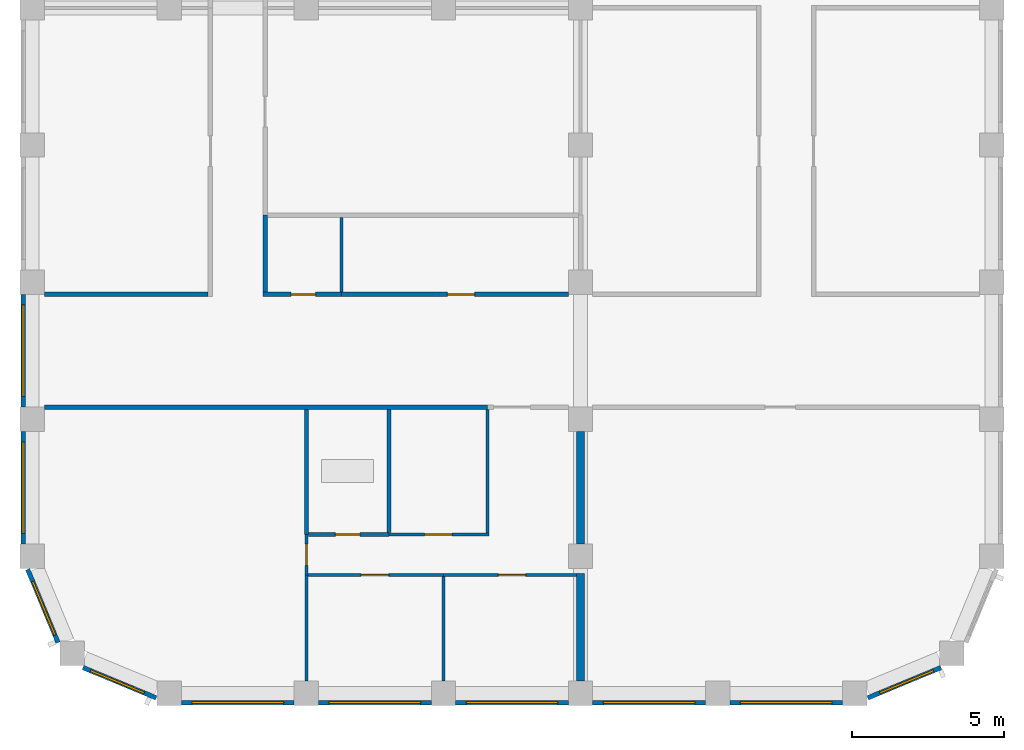
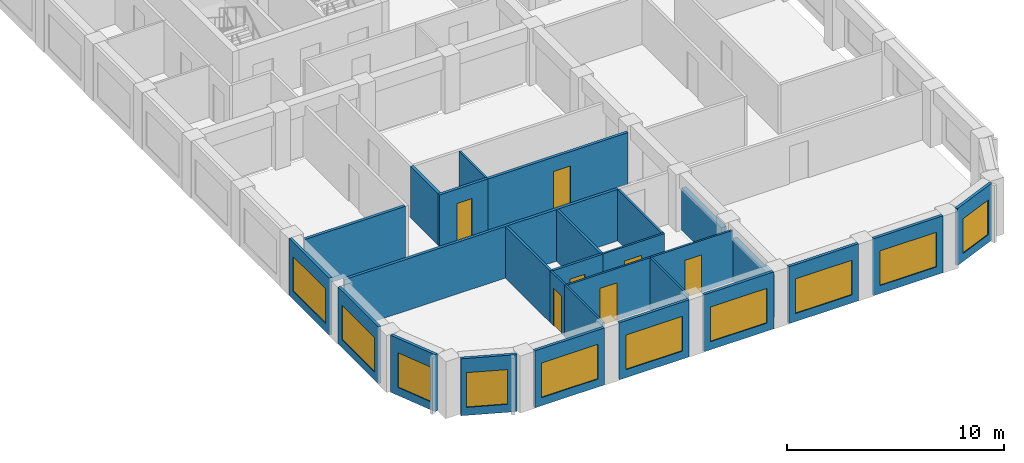
# One storey, part 2 of 9: 28 walls, 10 windows, 7 doors, 17 openings.
"""IFC4 building model written with IfcOpenShell, lengths in metres."""

import ifcopenshell
import ifcopenshell.guid

model = None  # the IFC model being written
_history = None  # IfcOwnerHistory: only IFC2X3 demands one
_inside = {}  # id of a spatial element -> (the spatial element, [elements in it])
_under = {}  # id of a project, library or spatial element -> (it, [spatial elements below it])
_declared = {}  # id of a project -> (the project, [libraries it declares])
_typed = {}  # id of a type object -> (the type object, [elements of that type])
_made_of = {}  # id of a material, layer set ... -> (it, [elements and type objects made of it])


def new_model(schema):
    """Start an empty IFC model of exactly this schema.

    Asked for "IFC4X3", IfcOpenShell would pick the latest addendum, in which some entities
    have other attributes; the version numbers below select the first issue.
    IFC2X3 requires an IfcOwnerHistory on every rooted entity: one is made here for all.
    """
    global model, _history
    if schema == "IFC4X3":
        model = ifcopenshell.file(schema_version=(4, 3, 0, 0))
    else:
        model = ifcopenshell.file(schema=schema)
    _inside.clear()
    _under.clear()
    _declared.clear()
    _typed.clear()
    _made_of.clear()
    _history = None
    if model.schema == "IFC2X3":
        org = make("IfcOrganization", Name="unknown")
        user = make(
            "IfcPersonAndOrganization",
            ThePerson=make("IfcPerson", FamilyName="unknown"),
            TheOrganization=org,
        )
        app = make(
            "IfcApplication",
            ApplicationDeveloper=org,
            Version="unknown",
            ApplicationFullName="unknown",
            ApplicationIdentifier="unknown",
        )
        _history = make(
            "IfcOwnerHistory",
            OwningUser=user,
            OwningApplication=app,
            ChangeAction="ADDED",
            CreationDate=0,
        )
    return model


def make(cls, **values):
    """One entity of the class cls with the attributes given. An attribute that is None is left unset."""
    return model.create_entity(
        cls, **{name: value for name, value in values.items() if value is not None}
    )


def rooted(cls, **values):
    """An entity with a GlobalId (a new one), such as an element, a storey or a relation."""
    return make(cls, GlobalId=ifcopenshell.guid.new(), OwnerHistory=_history, **values)


def si_unit(unit_type, name, prefix=None):
    """IfcSIUnit, for example si_unit("LENGTHUNIT", "METRE", prefix="MILLI")."""
    return make("IfcSIUnit", UnitType=unit_type, Prefix=prefix, Name=name)


def assignment(units):
    """IfcUnitAssignment: the units of a project."""
    return None if units is None else make("IfcUnitAssignment", Units=units)


def point(xyz):
    """IfcCartesianPoint."""
    return None if xyz is None else make("IfcCartesianPoint", Coordinates=xyz)


def direction(xyz):
    """IfcDirection."""
    return None if xyz is None else make("IfcDirection", DirectionRatios=xyz)


def frame(location, z_axis=None, x_axis=None):
    """IfcAxis2Placement3D, a coordinate frame: its origin and axes. An axis left out is left unset."""
    return make(
        "IfcAxis2Placement3D",
        Location=point(location),
        Axis=direction(z_axis),
        RefDirection=direction(x_axis),
    )


def frame_2d(location, x_axis=None):
    """IfcAxis2Placement2D, a coordinate frame in the plane: its origin and x axis."""
    return make(
        "IfcAxis2Placement2D", Location=point(location), RefDirection=direction(x_axis)
    )


def origin():
    """The frame at (0, 0, 0) with its axes left unset."""
    return frame((0.0, 0.0, 0.0))


def place(relative_to, where):
    """IfcLocalPlacement: puts the frame where relative to a parent placement (None: the world)."""
    return make(
        "IfcLocalPlacement", PlacementRelTo=relative_to, RelativePlacement=where
    )


def context(
    kind, dimensions, precision=None, world=None, true_north=None, identifier=None
):
    """IfcGeometricRepresentationContext, for example the 3D "Model" context."""
    return make(
        "IfcGeometricRepresentationContext",
        ContextIdentifier=identifier,
        ContextType=kind,
        CoordinateSpaceDimension=dimensions,
        Precision=precision,
        WorldCoordinateSystem=world,
        TrueNorth=true_north,
    )


def subcontext(parent, identifier, kind, view, scale=None):
    """IfcGeometricRepresentationSubContext, for example "Body" below "Model"."""
    return make(
        "IfcGeometricRepresentationSubContext",
        ContextIdentifier=identifier,
        ContextType=kind,
        ParentContext=parent,
        TargetScale=scale,
        TargetView=view,
    )


def project(units=None, contexts=None):
    """IfcProject with its units and contexts."""
    return rooted(
        "IfcProject",
        Name="project",
        RepresentationContexts=contexts,
        UnitsInContext=assignment(units),
    )


def spatial(cls, under=None, at=None, **own):
    """A site, building, storey or space (cls), placed at a placement, below another one or the project."""
    s = rooted(cls, ObjectPlacement=at, **own)
    if under is not None:
        _under.setdefault(under.id(), (under, []))[1].append(s)
    return s


def profile(cls, at=None, kind="AREA", **sizes):
    """A parametric profile (cls). Its sizes go by their IFC names, for example OverallWidth=200.0."""
    return make(cls, ProfileType=kind, Position=at, **sizes)


def rectangle(**sizes):
    """IfcRectangleProfileDef."""
    return profile("IfcRectangleProfileDef", **sizes)


def extrude(swept, where, along, depth):
    """IfcExtrudedAreaSolid: the profile swept, set in the frame where, extruded along a direction by depth."""
    return make(
        "IfcExtrudedAreaSolid",
        SweptArea=swept,
        Position=where,
        ExtrudedDirection=direction(along),
        Depth=depth,
    )


def shape(context_of_items, identifier, shape_type, items):
    """IfcShapeRepresentation: the items that make up one representation, for example the "Body"."""
    return make(
        "IfcShapeRepresentation",
        ContextOfItems=context_of_items,
        RepresentationIdentifier=identifier,
        RepresentationType=shape_type,
        Items=items,
    )


def material(Name=None, Category=None):
    """IfcMaterial."""
    return make("IfcMaterial", Name=Name, Category=Category)


def layer(
    of_material, thickness, ventilated=None, Name=None, Category=None, Priority=None
):
    """IfcMaterialLayer: one layer of a wall or slab, of a material (None: an air gap)."""
    return make(
        "IfcMaterialLayer",
        Material=of_material,
        LayerThickness=thickness,
        IsVentilated=ventilated,
        Name=Name,
        Category=Category,
        Priority=Priority,
    )


def layer_set(layers, Name=None):
    """IfcMaterialLayerSet."""
    return make("IfcMaterialLayerSet", MaterialLayers=layers, LayerSetName=Name)


def made_of(thing, what):
    """Note that an element or type object is made of a material, layer set ...; save() writes the relation."""
    if what is not None:
        _made_of.setdefault(what.id(), (what, []))[1].append(thing)
    return thing


def type_object(cls, material=None, **own):
    """A type object (cls), such as IfcWallType, which elements share."""
    return made_of(rooted(cls, **own), material)


def element(
    cls,
    number,
    at=None,
    inside=None,
    cuts=None,
    type_object=None,
    material=None,
    context=None,
    identifier="Body",
    shape_type=None,
    held_by="IfcProductDefinitionShape",
    body=None,
    shapes=None,
    **own,
):
    """One element of the class cls, such as IfcWall. Its Tag is "e" and its number.

    at: its placement. inside: the storey or other place that contains it. cuts: it is an
    opening in that element (IfcRelVoidsElement). A single representation is given by context,
    identifier, shape_type and body (its items); several are given by shapes. held_by: the class
    of the entity that holds the representations. save() writes the other relations.
    """
    e = rooted(cls, Tag="e%d" % number, ObjectPlacement=at, **own)
    if body is not None:
        shapes = [shape(context, identifier, shape_type, body)]
    if shapes is not None:
        e.Representation = make(held_by, Representations=shapes)
    if inside is not None:
        _inside.setdefault(inside.id(), (inside, []))[1].append(e)
    if cuts is not None:
        rooted(
            "IfcRelVoidsElement", RelatingBuildingElement=cuts, RelatedOpeningElement=e
        )
    if type_object is not None:
        _typed.setdefault(type_object.id(), (type_object, []))[1].append(e)
    return made_of(e, material)


def fill(opening, filler):
    """IfcRelFillsElement: the door or window that sits in an opening."""
    return rooted(
        "IfcRelFillsElement",
        RelatingOpeningElement=opening,
        RelatedBuildingElement=filler,
    )


def aggregate(whole, parts):
    """IfcRelAggregates: a whole, such as a stair, and the parts it consists of."""
    return rooted("IfcRelAggregates", RelatingObject=whole, RelatedObjects=parts)


def save(model, path):
    """Write the relations noted so far, then the file.

    IfcRelAggregates (storeys below a building ...), IfcRelContainedInSpatialStructure (elements
    in a storey), IfcRelDefinesByType, IfcRelAssociatesMaterial and IfcRelDeclares: one each for
    every whole, place, type object, material and project.
    """
    for whole, parts in _under.values():
        aggregate(whole, parts)
    for where, things in _inside.values():
        rooted(
            "IfcRelContainedInSpatialStructure",
            RelatedElements=things,
            RelatingStructure=where,
        )
    for kind, things in _typed.values():
        rooted("IfcRelDefinesByType", RelatedObjects=things, RelatingType=kind)
    for what, things in _made_of.values():
        rooted("IfcRelAssociatesMaterial", RelatedObjects=things, RelatingMaterial=what)
    for by, libraries in _declared.values():
        rooted("IfcRelDeclares", RelatingContext=by, RelatedDefinitions=libraries)
    model.write(path)


model = new_model("IFC4")

# Units and contexts
model_context = context("Model", 3, precision=1e-05, world=origin(), true_north=direction((0.0, 1.0)))
body_context = subcontext(model_context, "Body", "Model", "MODEL_VIEW")
ifc_project = project(units=[si_unit("LENGTHUNIT", "METRE"), si_unit("AREAUNIT", "SQUARE_METRE"), si_unit("VOLUMEUNIT", "CUBIC_METRE"), si_unit("PLANEANGLEUNIT", "RADIAN"), si_unit("MASSUNIT", "GRAM", prefix="KILO")], contexts=[model_context])

# Site, building, storey
site_placement = place(None, origin())
site = spatial("IfcSite", under=ifc_project, at=site_placement, CompositionType="ELEMENT")
building_placement = place(site_placement, origin())
building = spatial("IfcBuilding", under=site, at=building_placement, Name="Girih Gate Residences", CompositionType="ELEMENT")
storey_placement = place(building_placement, frame((0.0, 0.0, 222.89501953125)))
storey = spatial("IfcBuildingStorey", under=building, at=storey_placement, Name="L62", CompositionType="ELEMENT", Elevation=222.89501953125)

# Walls
ifc_material_1 = material(Name="Gypsum board on steel studs", Category="steel")
ifc_layer_1 = layer(ifc_material_1, 0.25)
ifc_layer_set_1 = layer_set([ifc_layer_1], Name="Acoustic separating wall 250 mm")
wall_type_1 = type_object("IfcWallType", Name="Acoustic separating wall 250 mm", PredefinedType="PARTITIONING", material=ifc_layer_set_1)
wall_1_placement = place(storey_placement, frame((18.0, 0.39990234375, 0.0), z_axis=(0.0, 0.0, 1.0), x_axis=(0.0, 1.0, 0.0)))
element("IfcWall", 1, at=wall_1_placement, inside=storey, type_object=wall_type_1, Name="L62 partition", PredefinedType="PARTITIONING", context=body_context, shape_type="SweptSolid", body=[
    extrude(rectangle(XDim=3.530029296875, YDim=0.25, at=frame_2d((1.76513671875, 0.0))), origin(), (0.0, 0.0, 1.0), 2.3798828125),
])
wall_2_placement = place(storey_placement, frame((18.0, 4.89990234375, 0.0), z_axis=(0.0, 0.0, 1.0), x_axis=(0.0, 1.0, 0.0)))
element("IfcWall", 2, at=wall_2_placement, inside=storey, type_object=wall_type_1, Name="L62 partition", PredefinedType="PARTITIONING", context=body_context, shape_type="SweptSolid", body=[
    extrude(rectangle(XDim=3.7001953125, YDim=0.25, at=frame_2d((1.85009765625, 0.0))), origin(), (0.0, 0.0, 1.0), 2.3798828125),
])
ifc_layer_2 = layer(ifc_material_1, 0.14990234375)
ifc_layer_set_2 = layer_set([ifc_layer_2], Name="Compartment wall 150 mm")
wall_type_2 = type_object("IfcWallType", Name="Compartment wall 150 mm", PredefinedType="PARTITIONING", material=ifc_layer_set_2)
wall_3_placement = place(storey_placement, frame((0.39990234375, 9.39990234375, 0.0), z_axis=(0.0, 0.0, 1.0), x_axis=(1.0, 0.0, 0.0)))
element("IfcWall", 3, at=wall_3_placement, inside=storey, type_object=wall_type_2, Name="L62 partition", PredefinedType="PARTITIONING", context=body_context, shape_type="SweptSolid", body=[
    extrude(rectangle(XDim=14.550048828125, YDim=0.14990234375, at=frame_2d((7.27490234375, 0.0))), origin(), (0.0, 0.0, 1.0), 2.89990234375),
])

# Wall, opening, door
wall_4_placement = place(storey_placement, frame((10.14990234375, 13.10009765625, 0.0), z_axis=(0.0, 0.0, 1.0), x_axis=(1.0, 0.0, 0.0)))
wall_4 = element("IfcWall", 4, at=wall_4_placement, inside=storey, type_object=wall_type_2, Name="L62 partition", PredefinedType="PARTITIONING", context=body_context, shape_type="SweptSolid", body=[
    extrude(rectangle(XDim=7.4501953125, YDim=0.14990234375, at=frame_2d((3.72509765625, 0.0))), origin(), (0.0, 0.0, 1.0), 2.89990234375),
])
opening_1_placement = place(wall_4_placement, frame((3.47509765625, 0.0, 0.0)))
opening_1 = element("IfcOpeningElement", 5, at=opening_1_placement, cuts=wall_4, Name="Opening A62-023", PredefinedType="OPENING", context=body_context, shape_type="SweptSolid", body=[
    extrude(rectangle(XDim=0.89990234375, YDim=2.10009765625, at=frame_2d((0.449951171875, 1.050048828125))), frame((0.0, 0.0849609375, 0.0), z_axis=(0.0, -1.0, 0.0), x_axis=(1.0, 0.0, 0.0)), (0.0, 0.0, 1.0), 0.169921875),
])
ifc_material_2 = material(Name="Timber", Category="wood")
door_type_1 = type_object("IfcDoorType", Name="Service room door 900x2100", OperationType="NOTDEFINED", PredefinedType="DOOR", material=ifc_material_2)
door_1_placement = place(opening_1_placement, origin())
door_1 = element("IfcDoor", 6, at=door_1_placement, inside=storey, type_object=door_type_1, Name="Door A62-023", OperationType="SINGLE_SWING_RIGHT", OverallHeight=2.10009765625, OverallWidth=0.89990234375, PredefinedType="DOOR", context=body_context, shape_type="SweptSolid", body=[
    extrude(rectangle(XDim=0.89990234375, YDim=2.10009765625, at=frame_2d((0.449951171875, 1.050048828125))), frame((0.0, 0.02490234375, 0.0), z_axis=(0.0, -1.0, 0.0), x_axis=(1.0, 0.0, 0.0)), (0.0, 0.0, 1.0), 0.050048828125),
])
fill(opening_1, door_1)

wall_5_placement = place(storey_placement, frame((7.574951171875, 13.10009765625, 0.0), z_axis=(0.0, 0.0, 1.0), x_axis=(1.0, 0.0, 0.0)))
wall_5 = element("IfcWall", 7, at=wall_5_placement, inside=storey, type_object=wall_type_2, Name="L62 partition", PredefinedType="PARTITIONING", context=body_context, shape_type="SweptSolid", body=[
    extrude(rectangle(XDim=2.574951171875, YDim=0.14990234375, at=frame_2d((1.28759765625, 0.0))), origin(), (0.0, 0.0, 1.0), 2.89990234375),
])
opening_2_placement = place(wall_5_placement, frame((0.925048828125, 0.0, 0.0)))
opening_2 = element("IfcOpeningElement", 8, at=opening_2_placement, cuts=wall_5, Name="Opening A62-024", PredefinedType="OPENING", context=body_context, shape_type="SweptSolid", body=[
    extrude(rectangle(XDim=0.800048828125, YDim=2.10009765625, at=frame_2d((0.39990234375, 1.050048828125))), frame((0.0, 0.0849609375, 0.0), z_axis=(0.0, -1.0, 0.0), x_axis=(1.0, 0.0, 0.0)), (0.0, 0.0, 1.0), 0.169921875),
])
door_type_2 = type_object("IfcDoorType", Name="Bathroom door 800x2100", OperationType="NOTDEFINED", PredefinedType="DOOR", material=ifc_material_2)
door_2_placement = place(opening_2_placement, origin())
door_2 = element("IfcDoor", 9, at=door_2_placement, inside=storey, type_object=door_type_2, Name="Door A62-024", OperationType="SINGLE_SWING_RIGHT", OverallHeight=2.10009765625, OverallWidth=0.800048828125, PredefinedType="DOOR", context=body_context, shape_type="SweptSolid", body=[
    extrude(rectangle(XDim=0.800048828125, YDim=2.10009765625, at=frame_2d((0.39990234375, 1.050048828125))), frame((0.0, 0.02490234375, 0.0), z_axis=(0.0, -1.0, 0.0), x_axis=(1.0, 0.0, 0.0)), (0.0, 0.0, 1.0), 0.050048828125),
])
fill(opening_2, door_2)

# Walls
wall_6_placement = place(storey_placement, frame((0.39990234375, 13.10009765625, 0.0), z_axis=(0.0, 0.0, 1.0), x_axis=(1.0, 0.0, 0.0)))
element("IfcWall", 10, at=wall_6_placement, inside=storey, type_object=wall_type_2, Name="L62 partition", PredefinedType="PARTITIONING", context=body_context, shape_type="SweptSolid", body=[
    extrude(rectangle(XDim=5.375, YDim=0.14990234375, at=frame_2d((2.6875, 0.0))), origin(), (0.0, 0.0, 1.0), 2.89990234375),
])
wall_7_placement = place(storey_placement, frame((7.64990234375, 13.175048828125, 0.0), z_axis=(0.0, 0.0, 1.0), x_axis=(0.0, 1.0, 0.0)))
element("IfcWall", 11, at=wall_7_placement, inside=storey, type_object=wall_type_2, Name="L62 partition", PredefinedType="PARTITIONING", context=body_context, shape_type="SweptSolid", body=[
    extrude(rectangle(XDim=2.52490234375, YDim=0.14990234375, at=frame_2d((1.262451171875, 0.0))), origin(), (0.0, 0.0, 1.0), 2.89990234375),
])
ifc_layer_3 = layer(ifc_material_1, 0.10009765625)
ifc_layer_set_3 = layer_set([ifc_layer_3], Name="Partition 100 mm")
wall_type_3 = type_object("IfcWallType", Name="Partition 100 mm", PredefinedType="PARTITIONING", material=ifc_layer_set_3)
wall_8_placement = place(storey_placement, frame((13.5, 0.39990234375, 0.0), z_axis=(0.0, 0.0, 1.0), x_axis=(0.0, 1.0, 0.0)))
element("IfcWall", 12, at=wall_8_placement, inside=storey, type_object=wall_type_3, Name="L62 partition", PredefinedType="PARTITIONING", context=body_context, shape_type="SweptSolid", body=[
    extrude(rectangle(XDim=3.43017578125, YDim=0.10009765625, at=frame_2d((1.715087890625, 0.0))), origin(), (0.0, 0.0, 1.0), 2.89990234375),
])

# Wall, opening, door
wall_9_placement = place(storey_placement, frame((13.5, 3.8798828125, 0.0), z_axis=(0.0, 0.0, 1.0), x_axis=(-1.0, 0.0, 0.0)))
wall_9 = element("IfcWall", 13, at=wall_9_placement, inside=storey, type_object=wall_type_3, Name="L62 partition", PredefinedType="PARTITIONING", context=body_context, shape_type="SweptSolid", body=[
    extrude(rectangle(XDim=4.449951171875, YDim=0.10009765625, at=frame_2d((2.22509765625, 0.0))), origin(), (0.0, 0.0, 1.0), 2.89990234375),
])
opening_3_placement = place(wall_9_placement, frame((1.800048828125, 0.0, 0.0)))
opening_3 = element("IfcOpeningElement", 14, at=opening_3_placement, cuts=wall_9, Name="Opening A62-002", PredefinedType="OPENING", context=body_context, shape_type="SweptSolid", body=[
    extrude(rectangle(XDim=0.89990234375, YDim=2.10009765625, at=frame_2d((0.449951171875, 1.050048828125))), frame((0.0, 0.06005859375, 0.0), z_axis=(0.0, -1.0, 0.0), x_axis=(1.0, 0.0, 0.0)), (0.0, 0.0, 1.0), 0.1201171875),
])
door_type_3 = type_object("IfcDoorType", Name="Bedroom door 900x2100", OperationType="NOTDEFINED", PredefinedType="DOOR", material=ifc_material_2)
door_3_placement = place(opening_3_placement, origin())
door_3 = element("IfcDoor", 15, at=door_3_placement, inside=storey, type_object=door_type_3, Name="Door A62-002", OperationType="SINGLE_SWING_RIGHT", OverallHeight=2.10009765625, OverallWidth=0.89990234375, PredefinedType="DOOR", context=body_context, shape_type="SweptSolid", body=[
    extrude(rectangle(XDim=0.89990234375, YDim=2.10009765625, at=frame_2d((0.449951171875, 1.050048828125))), frame((0.0, 0.02490234375, 0.0), z_axis=(0.0, -1.0, 0.0), x_axis=(1.0, 0.0, 0.0)), (0.0, 0.0, 1.0), 0.050048828125),
])
fill(opening_3, door_3)

# Wall
wall_10_placement = place(storey_placement, frame((9.0, 0.39990234375, 0.0), z_axis=(0.0, 0.0, 1.0), x_axis=(0.0, 1.0, 0.0)))
element("IfcWall", 16, at=wall_10_placement, inside=storey, type_object=wall_type_3, Name="L62 partition", PredefinedType="PARTITIONING", context=body_context, shape_type="SweptSolid", body=[
    extrude(rectangle(XDim=3.47998046875, YDim=0.10009765625, at=frame_2d((1.739990234375, 0.0))), origin(), (0.0, 0.0, 1.0), 2.89990234375),
])

# Wall, opening, door
wall_11_placement = place(storey_placement, frame((17.875, 3.8798828125, 0.0), z_axis=(0.0, 0.0, 1.0), x_axis=(-1.0, 0.0, 0.0)))
wall_11 = element("IfcWall", 17, at=wall_11_placement, inside=storey, type_object=wall_type_3, Name="L62 partition", PredefinedType="PARTITIONING", context=body_context, shape_type="SweptSolid", body=[
    extrude(rectangle(XDim=4.375, YDim=0.10009765625, at=frame_2d((2.1875, 0.0))), origin(), (0.0, 0.0, 1.0), 2.89990234375),
])
opening_4_placement = place(wall_11_placement, frame((1.675048828125, 0.0, 0.0)))
opening_4 = element("IfcOpeningElement", 18, at=opening_4_placement, cuts=wall_11, Name="Opening A62-003", PredefinedType="OPENING", context=body_context, shape_type="SweptSolid", body=[
    extrude(rectangle(XDim=0.89990234375, YDim=2.10009765625, at=frame_2d((0.449951171875, 1.050048828125))), frame((0.0, 0.06005859375, 0.0), z_axis=(0.0, -1.0, 0.0), x_axis=(1.0, 0.0, 0.0)), (0.0, 0.0, 1.0), 0.1201171875),
])
door_4_placement = place(opening_4_placement, origin())
door_4 = element("IfcDoor", 19, at=door_4_placement, inside=storey, type_object=door_type_3, Name="Door A62-003", OperationType="SINGLE_SWING_LEFT", OverallHeight=2.10009765625, OverallWidth=0.89990234375, PredefinedType="DOOR", context=body_context, shape_type="SweptSolid", body=[
    extrude(rectangle(XDim=0.89990234375, YDim=2.10009765625, at=frame_2d((0.449951171875, 1.050048828125))), frame((0.0, 0.02490234375, 0.0), z_axis=(0.0, -1.0, 0.0), x_axis=(1.0, 0.0, 0.0)), (0.0, 0.0, 1.0), 0.050048828125),
])
fill(opening_4, door_4)

wall_12_placement = place(storey_placement, frame((11.70849609375, 5.219970703125, 0.0), z_axis=(0.0, 0.0, 1.0), x_axis=(1.0, 0.0, 0.0)))
wall_12 = element("IfcWall", 20, at=wall_12_placement, inside=storey, type_object=wall_type_3, Name="L62 partition", PredefinedType="PARTITIONING", context=body_context, shape_type="SweptSolid", body=[
    extrude(rectangle(XDim=3.29150390625, YDim=0.10009765625, at=frame_2d((1.645751953125, 0.0))), origin(), (0.0, 0.0, 1.0), 2.89990234375),
])
opening_5_placement = place(wall_12_placement, frame((1.170654296875, 0.0, 0.0)))
opening_5 = element("IfcOpeningElement", 21, at=opening_5_placement, cuts=wall_12, Name="Opening A62-004", PredefinedType="OPENING", context=body_context, shape_type="SweptSolid", body=[
    extrude(rectangle(XDim=0.89990234375, YDim=2.10009765625, at=frame_2d((0.449951171875, 1.050048828125))), frame((0.0, 0.06005859375, 0.0), z_axis=(0.0, -1.0, 0.0), x_axis=(1.0, 0.0, 0.0)), (0.0, 0.0, 1.0), 0.1201171875),
])
door_type_4 = type_object("IfcDoorType", Name="Kitchen door 900x2100", OperationType="NOTDEFINED", PredefinedType="DOOR", material=ifc_material_2)
door_5_placement = place(opening_5_placement, origin())
door_5 = element("IfcDoor", 22, at=door_5_placement, inside=storey, type_object=door_type_4, Name="Door A62-004", OperationType="SINGLE_SWING_LEFT", OverallHeight=2.10009765625, OverallWidth=0.89990234375, PredefinedType="DOOR", context=body_context, shape_type="SweptSolid", body=[
    extrude(rectangle(XDim=0.89990234375, YDim=2.10009765625, at=frame_2d((0.449951171875, 1.050048828125))), frame((0.0, 0.02490234375, 0.0), z_axis=(0.0, -1.0, 0.0), x_axis=(1.0, 0.0, 0.0)), (0.0, 0.0, 1.0), 0.050048828125),
])
fill(opening_5, door_5)

# Wall
wall_13_placement = place(storey_placement, frame((14.949951171875, 5.27001953125, 0.0), z_axis=(0.0, 0.0, 1.0), x_axis=(0.0, 1.0, 0.0)))
element("IfcWall", 23, at=wall_13_placement, inside=storey, type_object=wall_type_3, Name="L62 partition", PredefinedType="PARTITIONING", context=body_context, shape_type="SweptSolid", body=[
    extrude(rectangle(XDim=4.054931640625, YDim=0.10009765625, at=frame_2d((2.02734375, 0.0))), origin(), (0.0, 0.0, 1.0), 2.89990234375),
])

# Wall, opening, door
wall_14_placement = place(storey_placement, frame((9.0, 3.8798828125, 0.0), z_axis=(0.0, 0.0, 1.0), x_axis=(0.0, 1.0, 0.0)))
wall_14 = element("IfcWall", 24, at=wall_14_placement, inside=storey, type_object=wall_type_3, Name="L62 partition", PredefinedType="PARTITIONING", context=body_context, shape_type="SweptSolid", body=[
    extrude(rectangle(XDim=1.340087890625, YDim=0.10009765625, at=frame_2d((0.669921875, 0.0))), origin(), (0.0, 0.0, 1.0), 2.89990234375),
])
opening_6_placement = place(wall_14_placement, frame((0.320068359375, 0.0, 0.0)))
opening_6 = element("IfcOpeningElement", 25, at=opening_6_placement, cuts=wall_14, Name="Opening A62-005", PredefinedType="OPENING", context=body_context, shape_type="SweptSolid", body=[
    extrude(rectangle(XDim=0.699951171875, YDim=2.10009765625, at=frame_2d((0.35009765625, 1.050048828125))), frame((0.0, 0.06005859375, 0.0), z_axis=(0.0, -1.0, 0.0), x_axis=(1.0, 0.0, 0.0)), (0.0, 0.0, 1.0), 0.1201171875),
])
door_type_5 = type_object("IfcDoorType", Name="Narrow door 700x2100", OperationType="NOTDEFINED", PredefinedType="DOOR", material=ifc_material_2)
door_6_placement = place(opening_6_placement, origin())
door_6 = element("IfcDoor", 26, at=door_6_placement, inside=storey, type_object=door_type_5, Name="Door A62-005", OperationType="SINGLE_SWING_RIGHT", OverallHeight=2.10009765625, OverallWidth=0.699951171875, PredefinedType="DOOR", context=body_context, shape_type="SweptSolid", body=[
    extrude(rectangle(XDim=0.699951171875, YDim=2.10009765625, at=frame_2d((0.35009765625, 1.050048828125))), frame((0.0, 0.02490234375, 0.0), z_axis=(0.0, -1.0, 0.0), x_axis=(1.0, 0.0, 0.0)), (0.0, 0.0, 1.0), 0.050048828125),
])
fill(opening_6, door_6)

# Wall
wall_15_placement = place(storey_placement, frame((10.14990234375, 13.175048828125, 0.0), z_axis=(0.0, 0.0, 1.0), x_axis=(0.0, 1.0, 0.0)))
element("IfcWall", 27, at=wall_15_placement, inside=storey, type_object=wall_type_3, Name="L62 partition", PredefinedType="PARTITIONING", context=body_context, shape_type="SweptSolid", body=[
    extrude(rectangle(XDim=2.449951171875, YDim=0.10009765625, at=frame_2d((1.22509765625, 0.0))), origin(), (0.0, 0.0, 1.0), 2.89990234375),
])

# Wall, opening, window
ifc_material_3 = material(Name="Precast concrete C50/60", Category="concrete")
ifc_layer_4 = layer(ifc_material_3, 0.050048828125, Name="Outer leaf")
ifc_material_4 = material(Name="Rigid PIR insulation")
ifc_layer_5 = layer(ifc_material_4, 0.06005859375, Name="Insulation")
ifc_material_5 = material(Name="Precast concrete C40/50", Category="concrete")
ifc_layer_6 = layer(ifc_material_5, 0.0400390625, Name="Inner leaf")
ifc_layer_set_4 = layer_set([ifc_layer_4, ifc_layer_5, ifc_layer_6], Name="Precast concrete C50/60 external wall 150")
wall_type_4 = type_object("IfcWallType", Name="Precast concrete C50/60 external wall 150", PredefinedType="SOLIDWALL", material=ifc_layer_set_4)
wall_16_placement = place(storey_placement, frame((29.8330078125, 0.8486328125, 0.0), z_axis=(0.0, 0.0, 1.0), x_axis=(-0.923885342263, -0.382669406082, 0.0)))
wall_16 = element("IfcWall", 28, at=wall_16_placement, inside=storey, type_object=wall_type_4, Name="External wall SE0270_0000.0", PredefinedType="SOLIDWALL", context=body_context, shape_type="SweptSolid", body=[
    extrude(rectangle(XDim=2.602294921875, YDim=0.14990234375, at=frame_2d((1.30126953125, 0.0))), origin(), (0.0, 0.0, 1.0), 3.199951171875),
])
opening_7_placement = place(wall_16_placement, frame((0.27001953125, 0.0, 0.449951171875)))
opening_7 = element("IfcOpeningElement", 29, at=opening_7_placement, cuts=wall_16, Name="Opening W-2G", PredefinedType="OPENING", context=body_context, shape_type="SweptSolid", body=[
    extrude(rectangle(XDim=1.89990234375, YDim=1.949951171875, at=frame_2d((0.949951171875, 0.97509765625))), frame((0.0, 0.0849609375, 0.0), z_axis=(0.0, -1.0, 0.0), x_axis=(1.0, 0.0, 0.0)), (0.0, 0.0, 1.0), 0.169921875),
])
ifc_material_6 = material(Name="Double glazing in aluminium frame", Category="aluminium")
window_type_1 = type_object("IfcWindowType", Name="Window W-2G 1900x1950", PartitioningType="SINGLE_PANEL", PredefinedType="WINDOW", material=ifc_material_6)
window_1_placement = place(opening_7_placement, origin())
window_1 = element("IfcWindow", 30, at=window_1_placement, inside=storey, type_object=window_type_1, Name="Window W-2G SE0270_0000.0", OverallHeight=1.949951171875, OverallWidth=1.89990234375, PartitioningType="SINGLE_PANEL", PredefinedType="WINDOW", context=body_context, shape_type="SweptSolid", body=[
    extrude(rectangle(XDim=1.89990234375, YDim=1.949951171875, at=frame_2d((0.949951171875, 0.97509765625))), frame((0.0, 0.030029296875, 0.0), z_axis=(0.0, -1.0, 0.0), x_axis=(1.0, 0.0, 0.0)), (0.0, 0.0, 1.0), 0.06005859375),
])
fill(opening_7, window_1)

wall_17_placement = place(storey_placement, frame((-0.300048828125, 9.39990234375, 0.0), z_axis=(0.0, 0.0, 1.0), x_axis=(0.0, 1.0, 0.0)))
wall_17 = element("IfcWall", 31, at=wall_17_placement, inside=storey, type_object=wall_type_4, Name="External wall W0000_0450.7", PredefinedType="SOLIDWALL", context=body_context, shape_type="SweptSolid", body=[
    extrude(rectangle(XDim=3.7001953125, YDim=0.14990234375, at=frame_2d((1.85009765625, 0.0))), origin(), (0.0, 0.0, 1.0), 3.199951171875),
])
opening_8_placement = place(wall_17_placement, frame((0.35009765625, 0.0, 0.449951171875)))
opening_8 = element("IfcOpeningElement", 32, at=opening_8_placement, cuts=wall_17, Name="Opening W-1D", PredefinedType="OPENING", context=body_context, shape_type="SweptSolid", body=[
    extrude(rectangle(XDim=3.0, YDim=1.949951171875, at=frame_2d((1.5, 0.97509765625))), frame((0.0, 0.0849609375, 0.0), z_axis=(0.0, -1.0, 0.0), x_axis=(1.0, 0.0, 0.0)), (0.0, 0.0, 1.0), 0.169921875),
])
window_type_2 = type_object("IfcWindowType", Name="Window W-1D 3000x1950", PartitioningType="SINGLE_PANEL", PredefinedType="WINDOW", material=ifc_material_6)
window_2_placement = place(opening_8_placement, origin())
window_2 = element("IfcWindow", 33, at=window_2_placement, inside=storey, type_object=window_type_2, Name="Window W-1D W0000_0450.7", OverallHeight=1.949951171875, OverallWidth=3.0, PartitioningType="SINGLE_PANEL", PredefinedType="WINDOW", context=body_context, shape_type="SweptSolid", body=[
    extrude(rectangle(XDim=3.0, YDim=1.949951171875, at=frame_2d((1.5, 0.97509765625))), frame((0.0, 0.030029296875, 0.0), z_axis=(0.0, -1.0, 0.0), x_axis=(1.0, 0.0, 0.0)), (0.0, 0.0, 1.0), 0.06005859375),
])
fill(opening_8, window_2)

wall_18_placement = place(storey_placement, frame((-0.300048828125, 4.89990234375, 0.0), z_axis=(0.0, 0.0, 1.0), x_axis=(0.0, 1.0, 0.0)))
wall_18 = element("IfcWall", 34, at=wall_18_placement, inside=storey, type_object=wall_type_4, Name="External wall W0000_0450.8", PredefinedType="SOLIDWALL", context=body_context, shape_type="SweptSolid", body=[
    extrude(rectangle(XDim=3.7001953125, YDim=0.14990234375, at=frame_2d((1.85009765625, 0.0))), origin(), (0.0, 0.0, 1.0), 3.199951171875),
])
opening_9_placement = place(wall_18_placement, frame((0.35009765625, 0.0, 0.449951171875)))
opening_9 = element("IfcOpeningElement", 35, at=opening_9_placement, cuts=wall_18, Name="Opening W-1D", PredefinedType="OPENING", context=body_context, shape_type="SweptSolid", body=[
    extrude(rectangle(XDim=3.0, YDim=1.949951171875, at=frame_2d((1.5, 0.97509765625))), frame((0.0, 0.0849609375, 0.0), z_axis=(0.0, -1.0, 0.0), x_axis=(1.0, 0.0, 0.0)), (0.0, 0.0, 1.0), 0.169921875),
])
window_3_placement = place(opening_9_placement, origin())
window_3 = element("IfcWindow", 36, at=window_3_placement, inside=storey, type_object=window_type_2, Name="Window W-1D W0000_0450.8", OverallHeight=1.949951171875, OverallWidth=3.0, PartitioningType="SINGLE_PANEL", PredefinedType="WINDOW", context=body_context, shape_type="SweptSolid", body=[
    extrude(rectangle(XDim=3.0, YDim=1.949951171875, at=frame_2d((1.5, 0.97509765625))), frame((0.0, 0.030029296875, 0.0), z_axis=(0.0, -1.0, 0.0), x_axis=(1.0, 0.0, 0.0)), (0.0, 0.0, 1.0), 0.06005859375),
])
fill(opening_9, window_3)

wall_19_placement = place(storey_placement, frame((0.8486328125, 1.6669921875, 0.0), z_axis=(0.0, 0.0, 1.0), x_axis=(-0.382669406082, 0.923885342263, 0.0)))
wall_19 = element("IfcWall", 37, at=wall_19_placement, inside=storey, type_object=wall_type_4, Name="External wall SW0000_0045.0", PredefinedType="SOLIDWALL", context=body_context, shape_type="SweptSolid", body=[
    extrude(rectangle(XDim=2.602294921875, YDim=0.14990234375, at=frame_2d((1.30126953125, 0.0))), origin(), (0.0, 0.0, 1.0), 3.199951171875),
])
opening_10_placement = place(wall_19_placement, frame((0.27001953125, 0.0, 0.449951171875)))
opening_10 = element("IfcOpeningElement", 38, at=opening_10_placement, cuts=wall_19, Name="Opening W-2G", PredefinedType="OPENING", context=body_context, shape_type="SweptSolid", body=[
    extrude(rectangle(XDim=1.89990234375, YDim=1.949951171875, at=frame_2d((0.949951171875, 0.97509765625))), frame((0.0, 0.0849609375, 0.0), z_axis=(0.0, -1.0, 0.0), x_axis=(1.0, 0.0, 0.0)), (0.0, 0.0, 1.0), 0.169921875),
])
window_4_placement = place(opening_10_placement, origin())
window_4 = element("IfcWindow", 39, at=window_4_placement, inside=storey, type_object=window_type_1, Name="Window W-2G SW0000_0045.0", OverallHeight=1.949951171875, OverallWidth=1.89990234375, PartitioningType="SINGLE_PANEL", PredefinedType="WINDOW", context=body_context, shape_type="SweptSolid", body=[
    extrude(rectangle(XDim=1.89990234375, YDim=1.949951171875, at=frame_2d((0.949951171875, 0.97509765625))), frame((0.0, 0.030029296875, 0.0), z_axis=(0.0, -1.0, 0.0), x_axis=(1.0, 0.0, 0.0)), (0.0, 0.0, 1.0), 0.06005859375),
])
fill(opening_10, window_4)

wall_20_placement = place(storey_placement, frame((4.0712890625, -0.147216796875, 0.0), z_axis=(0.0, 0.0, 1.0), x_axis=(-0.923885342263, 0.382669406082, 0.0)))
wall_20 = element("IfcWall", 40, at=wall_20_placement, inside=storey, type_object=wall_type_4, Name="External wall SW0013_0013.0", PredefinedType="SOLIDWALL", context=body_context, shape_type="SweptSolid", body=[
    extrude(rectangle(XDim=2.602294921875, YDim=0.14990234375, at=frame_2d((1.30126953125, 0.0))), origin(), (0.0, 0.0, 1.0), 3.199951171875),
])
opening_11_placement = place(wall_20_placement, frame((0.432373046875, 0.0, 0.449951171875)))
opening_11 = element("IfcOpeningElement", 41, at=opening_11_placement, cuts=wall_20, Name="Opening W-2G", PredefinedType="OPENING", context=body_context, shape_type="SweptSolid", body=[
    extrude(rectangle(XDim=1.89990234375, YDim=1.949951171875, at=frame_2d((0.949951171875, 0.97509765625))), frame((0.0, 0.0849609375, 0.0), z_axis=(0.0, -1.0, 0.0), x_axis=(1.0, 0.0, 0.0)), (0.0, 0.0, 1.0), 0.169921875),
])
window_5_placement = place(opening_11_placement, origin())
window_5 = element("IfcWindow", 42, at=window_5_placement, inside=storey, type_object=window_type_1, Name="Window W-2G SW0013_0013.0", OverallHeight=1.949951171875, OverallWidth=1.89990234375, PartitioningType="SINGLE_PANEL", PredefinedType="WINDOW", context=body_context, shape_type="SweptSolid", body=[
    extrude(rectangle(XDim=1.89990234375, YDim=1.949951171875, at=frame_2d((0.949951171875, 0.97509765625))), frame((0.0, 0.030029296875, 0.0), z_axis=(0.0, -1.0, 0.0), x_axis=(1.0, 0.0, 0.0)), (0.0, 0.0, 1.0), 0.06005859375),
])
fill(opening_11, window_5)

wall_21_placement = place(storey_placement, frame((8.60009765625, -0.300048828125, 0.0), z_axis=(0.0, 0.0, 1.0), x_axis=(-1.0, 0.0, 0.0)))
wall_21 = element("IfcWall", 43, at=wall_21_placement, inside=storey, type_object=wall_type_4, Name="External wall S0045_0000.0", PredefinedType="SOLIDWALL", context=body_context, shape_type="SweptSolid", body=[
    extrude(rectangle(XDim=3.7001953125, YDim=0.14990234375, at=frame_2d((1.85009765625, 0.0))), origin(), (0.0, 0.0, 1.0), 3.199951171875),
])
opening_12_placement = place(wall_21_placement, frame((0.35009765625, 0.0, 0.449951171875)))
opening_12 = element("IfcOpeningElement", 44, at=opening_12_placement, cuts=wall_21, Name="Opening W-1D", PredefinedType="OPENING", context=body_context, shape_type="SweptSolid", body=[
    extrude(rectangle(XDim=3.0, YDim=1.949951171875, at=frame_2d((1.5, 0.97509765625))), frame((0.0, 0.0849609375, 0.0), z_axis=(0.0, -1.0, 0.0), x_axis=(1.0, 0.0, 0.0)), (0.0, 0.0, 1.0), 0.169921875),
])
window_6_placement = place(opening_12_placement, origin())
window_6 = element("IfcWindow", 45, at=window_6_placement, inside=storey, type_object=window_type_2, Name="Window W-1D S0045_0000.0", OverallHeight=1.949951171875, OverallWidth=3.0, PartitioningType="SINGLE_PANEL", PredefinedType="WINDOW", context=body_context, shape_type="SweptSolid", body=[
    extrude(rectangle(XDim=3.0, YDim=1.949951171875, at=frame_2d((1.5, 0.97509765625))), frame((0.0, 0.030029296875, 0.0), z_axis=(0.0, -1.0, 0.0), x_axis=(1.0, 0.0, 0.0)), (0.0, 0.0, 1.0), 0.06005859375),
])
fill(opening_12, window_6)

wall_22_placement = place(storey_placement, frame((13.10009765625, -0.300048828125, 0.0), z_axis=(0.0, 0.0, 1.0), x_axis=(-1.0, 0.0, 0.0)))
wall_22 = element("IfcWall", 46, at=wall_22_placement, inside=storey, type_object=wall_type_4, Name="External wall S0045_0000.1", PredefinedType="SOLIDWALL", context=body_context, shape_type="SweptSolid", body=[
    extrude(rectangle(XDim=3.7001953125, YDim=0.14990234375, at=frame_2d((1.85009765625, 0.0))), origin(), (0.0, 0.0, 1.0), 3.199951171875),
])
opening_13_placement = place(wall_22_placement, frame((0.35009765625, 0.0, 0.449951171875)))
opening_13 = element("IfcOpeningElement", 47, at=opening_13_placement, cuts=wall_22, Name="Opening W-1D", PredefinedType="OPENING", context=body_context, shape_type="SweptSolid", body=[
    extrude(rectangle(XDim=3.0, YDim=1.949951171875, at=frame_2d((1.5, 0.97509765625))), frame((0.0, 0.0849609375, 0.0), z_axis=(0.0, -1.0, 0.0), x_axis=(1.0, 0.0, 0.0)), (0.0, 0.0, 1.0), 0.169921875),
])
window_7_placement = place(opening_13_placement, origin())
window_7 = element("IfcWindow", 48, at=window_7_placement, inside=storey, type_object=window_type_2, Name="Window W-1D S0045_0000.1", OverallHeight=1.949951171875, OverallWidth=3.0, PartitioningType="SINGLE_PANEL", PredefinedType="WINDOW", context=body_context, shape_type="SweptSolid", body=[
    extrude(rectangle(XDim=3.0, YDim=1.949951171875, at=frame_2d((1.5, 0.97509765625))), frame((0.0, 0.030029296875, 0.0), z_axis=(0.0, -1.0, 0.0), x_axis=(1.0, 0.0, 0.0)), (0.0, 0.0, 1.0), 0.06005859375),
])
fill(opening_13, window_7)

wall_23_placement = place(storey_placement, frame((17.60009765625, -0.300048828125, 0.0), z_axis=(0.0, 0.0, 1.0), x_axis=(-1.0, 0.0, 0.0)))
wall_23 = element("IfcWall", 49, at=wall_23_placement, inside=storey, type_object=wall_type_4, Name="External wall S0045_0000.2", PredefinedType="SOLIDWALL", context=body_context, shape_type="SweptSolid", body=[
    extrude(rectangle(XDim=3.7001953125, YDim=0.14990234375, at=frame_2d((1.85009765625, 0.0))), origin(), (0.0, 0.0, 1.0), 3.199951171875),
])
opening_14_placement = place(wall_23_placement, frame((0.35009765625, 0.0, 0.449951171875)))
opening_14 = element("IfcOpeningElement", 50, at=opening_14_placement, cuts=wall_23, Name="Opening W-1D", PredefinedType="OPENING", context=body_context, shape_type="SweptSolid", body=[
    extrude(rectangle(XDim=3.0, YDim=1.949951171875, at=frame_2d((1.5, 0.97509765625))), frame((0.0, 0.0849609375, 0.0), z_axis=(0.0, -1.0, 0.0), x_axis=(1.0, 0.0, 0.0)), (0.0, 0.0, 1.0), 0.169921875),
])
window_8_placement = place(opening_14_placement, origin())
window_8 = element("IfcWindow", 51, at=window_8_placement, inside=storey, type_object=window_type_2, Name="Window W-1D S0045_0000.2", OverallHeight=1.949951171875, OverallWidth=3.0, PartitioningType="SINGLE_PANEL", PredefinedType="WINDOW", context=body_context, shape_type="SweptSolid", body=[
    extrude(rectangle(XDim=3.0, YDim=1.949951171875, at=frame_2d((1.5, 0.97509765625))), frame((0.0, 0.030029296875, 0.0), z_axis=(0.0, -1.0, 0.0), x_axis=(1.0, 0.0, 0.0)), (0.0, 0.0, 1.0), 0.06005859375),
])
fill(opening_14, window_8)

wall_24_placement = place(storey_placement, frame((22.10009765625, -0.300048828125, 0.0), z_axis=(0.0, 0.0, 1.0), x_axis=(-1.0, 0.0, 0.0)))
wall_24 = element("IfcWall", 52, at=wall_24_placement, inside=storey, type_object=wall_type_4, Name="External wall S0045_0000.3", PredefinedType="SOLIDWALL", context=body_context, shape_type="SweptSolid", body=[
    extrude(rectangle(XDim=3.7001953125, YDim=0.14990234375, at=frame_2d((1.85009765625, 0.0))), origin(), (0.0, 0.0, 1.0), 3.199951171875),
])
opening_15_placement = place(wall_24_placement, frame((0.35009765625, 0.0, 0.449951171875)))
opening_15 = element("IfcOpeningElement", 53, at=opening_15_placement, cuts=wall_24, Name="Opening W-1D", PredefinedType="OPENING", context=body_context, shape_type="SweptSolid", body=[
    extrude(rectangle(XDim=3.0, YDim=1.949951171875, at=frame_2d((1.5, 0.97509765625))), frame((0.0, 0.0849609375, 0.0), z_axis=(0.0, -1.0, 0.0), x_axis=(1.0, 0.0, 0.0)), (0.0, 0.0, 1.0), 0.169921875),
])
window_9_placement = place(opening_15_placement, origin())
window_9 = element("IfcWindow", 54, at=window_9_placement, inside=storey, type_object=window_type_2, Name="Window W-1D S0045_0000.3", OverallHeight=1.949951171875, OverallWidth=3.0, PartitioningType="SINGLE_PANEL", PredefinedType="WINDOW", context=body_context, shape_type="SweptSolid", body=[
    extrude(rectangle(XDim=3.0, YDim=1.949951171875, at=frame_2d((1.5, 0.97509765625))), frame((0.0, 0.030029296875, 0.0), z_axis=(0.0, -1.0, 0.0), x_axis=(1.0, 0.0, 0.0)), (0.0, 0.0, 1.0), 0.06005859375),
])
fill(opening_15, window_9)

wall_25_placement = place(storey_placement, frame((26.60009765625, -0.300048828125, 0.0), z_axis=(0.0, 0.0, 1.0), x_axis=(-1.0, 0.0, 0.0)))
wall_25 = element("IfcWall", 55, at=wall_25_placement, inside=storey, type_object=wall_type_4, Name="External wall S0045_0000.4", PredefinedType="SOLIDWALL", context=body_context, shape_type="SweptSolid", body=[
    extrude(rectangle(XDim=3.7001953125, YDim=0.14990234375, at=frame_2d((1.85009765625, 0.0))), origin(), (0.0, 0.0, 1.0), 3.199951171875),
])
opening_16_placement = place(wall_25_placement, frame((0.35009765625, 0.0, 0.449951171875)))
opening_16 = element("IfcOpeningElement", 56, at=opening_16_placement, cuts=wall_25, Name="Opening W-1D", PredefinedType="OPENING", context=body_context, shape_type="SweptSolid", body=[
    extrude(rectangle(XDim=3.0, YDim=1.949951171875, at=frame_2d((1.5, 0.97509765625))), frame((0.0, 0.0849609375, 0.0), z_axis=(0.0, -1.0, 0.0), x_axis=(1.0, 0.0, 0.0)), (0.0, 0.0, 1.0), 0.169921875),
])
window_10_placement = place(opening_16_placement, origin())
window_10 = element("IfcWindow", 57, at=window_10_placement, inside=storey, type_object=window_type_2, Name="Window W-1D S0045_0000.4", OverallHeight=1.949951171875, OverallWidth=3.0, PartitioningType="SINGLE_PANEL", PredefinedType="WINDOW", context=body_context, shape_type="SweptSolid", body=[
    extrude(rectangle(XDim=3.0, YDim=1.949951171875, at=frame_2d((1.5, 0.97509765625))), frame((0.0, 0.030029296875, 0.0), z_axis=(0.0, -1.0, 0.0), x_axis=(1.0, 0.0, 0.0)), (0.0, 0.0, 1.0), 0.06005859375),
])
fill(opening_16, window_10)

# Wall, opening, door
ifc_layer_7 = layer(ifc_material_1, 0.125)
ifc_layer_set_5 = layer_set([ifc_layer_7], Name="Wet room wall 125 mm")
wall_type_5 = type_object("IfcWallType", Name="Wet room wall 125 mm", PredefinedType="PARTITIONING", material=ifc_layer_set_5)
wall_26_placement = place(storey_placement, frame((9.0625, 5.219970703125, 0.0), z_axis=(0.0, 0.0, 1.0), x_axis=(1.0, 0.0, 0.0)))
wall_26 = element("IfcWall", 58, at=wall_26_placement, inside=storey, type_object=wall_type_5, Name="L62 partition", PredefinedType="PARTITIONING", context=body_context, shape_type="SweptSolid", body=[
    extrude(rectangle(XDim=2.64599609375, YDim=0.125, at=frame_2d((1.322998046875, 0.0))), origin(), (0.0, 0.0, 1.0), 2.89990234375),
])
opening_17_placement = place(wall_26_placement, frame((0.891845703125, 0.0, 0.0)))
opening_17 = element("IfcOpeningElement", 59, at=opening_17_placement, cuts=wall_26, Name="Opening A62-001", PredefinedType="OPENING", context=body_context, shape_type="SweptSolid", body=[
    extrude(rectangle(XDim=0.800048828125, YDim=2.10009765625, at=frame_2d((0.39990234375, 1.050048828125))), frame((0.0, 0.072509765625, 0.0), z_axis=(0.0, -1.0, 0.0), x_axis=(1.0, 0.0, 0.0)), (0.0, 0.0, 1.0), 0.14501953125),
])
door_7_placement = place(opening_17_placement, origin())
door_7 = element("IfcDoor", 60, at=door_7_placement, inside=storey, type_object=door_type_2, Name="Door A62-001", OperationType="SINGLE_SWING_LEFT", OverallHeight=2.10009765625, OverallWidth=0.800048828125, PredefinedType="DOOR", context=body_context, shape_type="SweptSolid", body=[
    extrude(rectangle(XDim=0.800048828125, YDim=2.10009765625, at=frame_2d((0.39990234375, 1.050048828125))), frame((0.0, 0.02490234375, 0.0), z_axis=(0.0, -1.0, 0.0), x_axis=(1.0, 0.0, 0.0)), (0.0, 0.0, 1.0), 0.050048828125),
])
fill(opening_17, door_7)

# Walls
wall_27_placement = place(storey_placement, frame((11.708984375, 5.282470703125, 0.0), z_axis=(0.0, 0.0, 1.0), x_axis=(0.0, 1.0, 0.0)))
element("IfcWall", 61, at=wall_27_placement, inside=storey, type_object=wall_type_5, Name="L62 partition", PredefinedType="PARTITIONING", context=body_context, shape_type="SweptSolid", body=[
    extrude(rectangle(XDim=4.04248046875, YDim=0.125, at=frame_2d((2.021240234375, 0.0))), origin(), (0.0, 0.0, 1.0), 2.89990234375),
])
wall_28_placement = place(storey_placement, frame((9.0, 5.219970703125, 0.0), z_axis=(0.0, 0.0, 1.0), x_axis=(0.0, 1.0, 0.0)))
element("IfcWall", 62, at=wall_28_placement, inside=storey, type_object=wall_type_5, Name="L62 partition", PredefinedType="PARTITIONING", context=body_context, shape_type="SweptSolid", body=[
    extrude(rectangle(XDim=4.10498046875, YDim=0.125, at=frame_2d((2.052490234375, 0.0))), origin(), (0.0, 0.0, 1.0), 2.89990234375),
])

save(model, "model.ifc")
